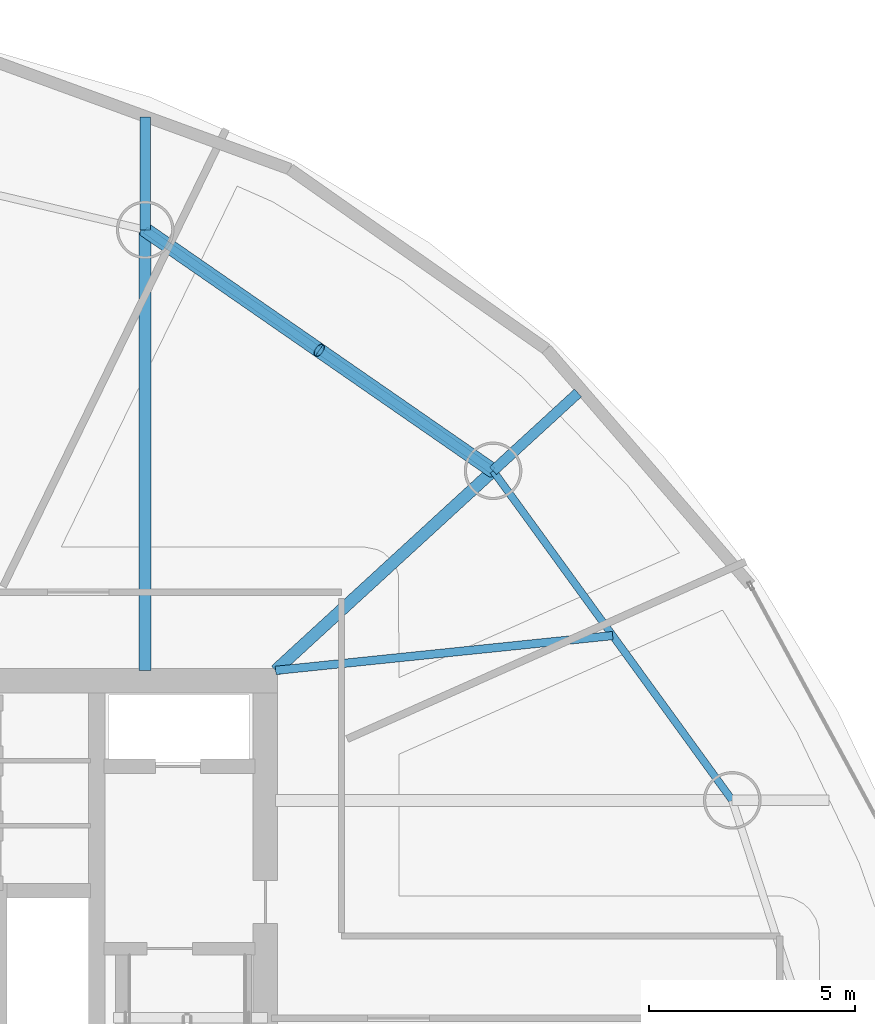
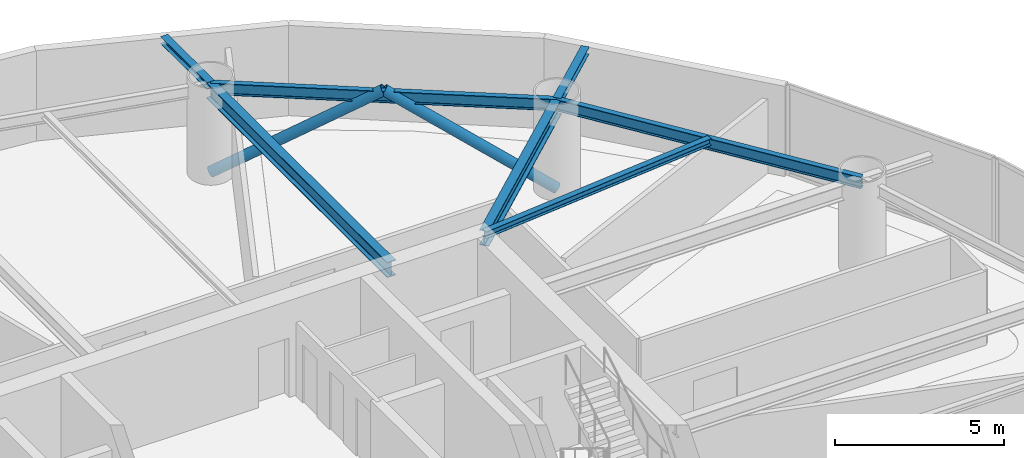
# One storey, part 14 of 22: 7 beams, 2 members.
"""IFC4 building model written with IfcOpenShell, lengths in metres."""

import ifcopenshell
import ifcopenshell.guid

model = None  # the IFC model being written
_history = None  # IfcOwnerHistory: only IFC2X3 demands one
_inside = {}  # id of a spatial element -> (the spatial element, [elements in it])
_under = {}  # id of a project, library or spatial element -> (it, [spatial elements below it])
_declared = {}  # id of a project -> (the project, [libraries it declares])
_typed = {}  # id of a type object -> (the type object, [elements of that type])
_made_of = {}  # id of a material, layer set ... -> (it, [elements and type objects made of it])


def new_model(schema):
    """Start an empty IFC model of exactly this schema.

    Asked for "IFC4X3", IfcOpenShell would pick the latest addendum, in which some entities
    have other attributes; the version numbers below select the first issue.
    IFC2X3 requires an IfcOwnerHistory on every rooted entity: one is made here for all.
    """
    global model, _history
    if schema == "IFC4X3":
        model = ifcopenshell.file(schema_version=(4, 3, 0, 0))
    else:
        model = ifcopenshell.file(schema=schema)
    _inside.clear()
    _under.clear()
    _declared.clear()
    _typed.clear()
    _made_of.clear()
    _history = None
    if model.schema == "IFC2X3":
        org = make("IfcOrganization", Name="unknown")
        user = make(
            "IfcPersonAndOrganization",
            ThePerson=make("IfcPerson", FamilyName="unknown"),
            TheOrganization=org,
        )
        app = make(
            "IfcApplication",
            ApplicationDeveloper=org,
            Version="unknown",
            ApplicationFullName="unknown",
            ApplicationIdentifier="unknown",
        )
        _history = make(
            "IfcOwnerHistory",
            OwningUser=user,
            OwningApplication=app,
            ChangeAction="ADDED",
            CreationDate=0,
        )
    return model


def make(cls, **values):
    """One entity of the class cls with the attributes given. An attribute that is None is left unset."""
    return model.create_entity(
        cls, **{name: value for name, value in values.items() if value is not None}
    )


def rooted(cls, **values):
    """An entity with a GlobalId (a new one), such as an element, a storey or a relation."""
    return make(cls, GlobalId=ifcopenshell.guid.new(), OwnerHistory=_history, **values)


def si_unit(unit_type, name, prefix=None):
    """IfcSIUnit, for example si_unit("LENGTHUNIT", "METRE", prefix="MILLI")."""
    return make("IfcSIUnit", UnitType=unit_type, Prefix=prefix, Name=name)


def assignment(units):
    """IfcUnitAssignment: the units of a project."""
    return None if units is None else make("IfcUnitAssignment", Units=units)


def point(xyz):
    """IfcCartesianPoint."""
    return None if xyz is None else make("IfcCartesianPoint", Coordinates=xyz)


def direction(xyz):
    """IfcDirection."""
    return None if xyz is None else make("IfcDirection", DirectionRatios=xyz)


def frame(location, z_axis=None, x_axis=None):
    """IfcAxis2Placement3D, a coordinate frame: its origin and axes. An axis left out is left unset."""
    return make(
        "IfcAxis2Placement3D",
        Location=point(location),
        Axis=direction(z_axis),
        RefDirection=direction(x_axis),
    )


def frame_2d(location, x_axis=None):
    """IfcAxis2Placement2D, a coordinate frame in the plane: its origin and x axis."""
    return make(
        "IfcAxis2Placement2D", Location=point(location), RefDirection=direction(x_axis)
    )


def origin():
    """The frame at (0, 0, 0) with its axes left unset."""
    return frame((0.0, 0.0, 0.0))


def origin_2d():
    """The frame at (0, 0) in the plane with its x axis left unset."""
    return frame_2d((0.0, 0.0))


def place(relative_to, where):
    """IfcLocalPlacement: puts the frame where relative to a parent placement (None: the world)."""
    return make(
        "IfcLocalPlacement", PlacementRelTo=relative_to, RelativePlacement=where
    )


def context(
    kind, dimensions, precision=None, world=None, true_north=None, identifier=None
):
    """IfcGeometricRepresentationContext, for example the 3D "Model" context."""
    return make(
        "IfcGeometricRepresentationContext",
        ContextIdentifier=identifier,
        ContextType=kind,
        CoordinateSpaceDimension=dimensions,
        Precision=precision,
        WorldCoordinateSystem=world,
        TrueNorth=true_north,
    )


def subcontext(parent, identifier, kind, view, scale=None):
    """IfcGeometricRepresentationSubContext, for example "Body" below "Model"."""
    return make(
        "IfcGeometricRepresentationSubContext",
        ContextIdentifier=identifier,
        ContextType=kind,
        ParentContext=parent,
        TargetScale=scale,
        TargetView=view,
    )


def project(units=None, contexts=None):
    """IfcProject with its units and contexts."""
    return rooted(
        "IfcProject",
        Name="project",
        RepresentationContexts=contexts,
        UnitsInContext=assignment(units),
    )


def spatial(cls, under=None, at=None, **own):
    """A site, building, storey or space (cls), placed at a placement, below another one or the project."""
    s = rooted(cls, ObjectPlacement=at, **own)
    if under is not None:
        _under.setdefault(under.id(), (under, []))[1].append(s)
    return s


def profile(cls, at=None, kind="AREA", **sizes):
    """A parametric profile (cls). Its sizes go by their IFC names, for example OverallWidth=200.0."""
    return make(cls, ProfileType=kind, Position=at, **sizes)


def hollow_circle(**sizes):
    """IfcCircleHollowProfileDef."""
    return profile("IfcCircleHollowProfileDef", **sizes)


def i_section(**sizes):
    """IfcIShapeProfileDef."""
    return profile("IfcIShapeProfileDef", **sizes)


def extrude(swept, where, along, depth):
    """IfcExtrudedAreaSolid: the profile swept, set in the frame where, extruded along a direction by depth."""
    return make(
        "IfcExtrudedAreaSolid",
        SweptArea=swept,
        Position=where,
        ExtrudedDirection=direction(along),
        Depth=depth,
    )


def shape(context_of_items, identifier, shape_type, items):
    """IfcShapeRepresentation: the items that make up one representation, for example the "Body"."""
    return make(
        "IfcShapeRepresentation",
        ContextOfItems=context_of_items,
        RepresentationIdentifier=identifier,
        RepresentationType=shape_type,
        Items=items,
    )


def material(Name=None, Category=None):
    """IfcMaterial."""
    return make("IfcMaterial", Name=Name, Category=Category)


def material_profile(
    of_material, cross_section, Name=None, Category=None, Priority=None
):
    """IfcMaterialProfile: a cross section and its material."""
    return make(
        "IfcMaterialProfile",
        Name=Name,
        Material=of_material,
        Profile=cross_section,
        Priority=Priority,
        Category=Category,
    )


def profile_set(profiles, Name=None, composite=None):
    """IfcMaterialProfileSet."""
    return make(
        "IfcMaterialProfileSet",
        Name=Name,
        MaterialProfiles=profiles,
        CompositeProfile=composite,
    )


def made_of(thing, what):
    """Note that an element or type object is made of a material, layer set ...; save() writes the relation."""
    if what is not None:
        _made_of.setdefault(what.id(), (what, []))[1].append(thing)
    return thing


def type_object(cls, material=None, **own):
    """A type object (cls), such as IfcWallType, which elements share."""
    return made_of(rooted(cls, **own), material)


def element(
    cls,
    number,
    at=None,
    inside=None,
    cuts=None,
    type_object=None,
    material=None,
    context=None,
    identifier="Body",
    shape_type=None,
    held_by="IfcProductDefinitionShape",
    body=None,
    shapes=None,
    **own,
):
    """One element of the class cls, such as IfcWall. Its Tag is "e" and its number.

    at: its placement. inside: the storey or other place that contains it. cuts: it is an
    opening in that element (IfcRelVoidsElement). A single representation is given by context,
    identifier, shape_type and body (its items); several are given by shapes. held_by: the class
    of the entity that holds the representations. save() writes the other relations.
    """
    e = rooted(cls, Tag="e%d" % number, ObjectPlacement=at, **own)
    if body is not None:
        shapes = [shape(context, identifier, shape_type, body)]
    if shapes is not None:
        e.Representation = make(held_by, Representations=shapes)
    if inside is not None:
        _inside.setdefault(inside.id(), (inside, []))[1].append(e)
    if cuts is not None:
        rooted(
            "IfcRelVoidsElement", RelatingBuildingElement=cuts, RelatedOpeningElement=e
        )
    if type_object is not None:
        _typed.setdefault(type_object.id(), (type_object, []))[1].append(e)
    return made_of(e, material)


def aggregate(whole, parts):
    """IfcRelAggregates: a whole, such as a stair, and the parts it consists of."""
    return rooted("IfcRelAggregates", RelatingObject=whole, RelatedObjects=parts)


def save(model, path):
    """Write the relations noted so far, then the file.

    IfcRelAggregates (storeys below a building ...), IfcRelContainedInSpatialStructure (elements
    in a storey), IfcRelDefinesByType, IfcRelAssociatesMaterial and IfcRelDeclares: one each for
    every whole, place, type object, material and project.
    """
    for whole, parts in _under.values():
        aggregate(whole, parts)
    for where, things in _inside.values():
        rooted(
            "IfcRelContainedInSpatialStructure",
            RelatedElements=things,
            RelatingStructure=where,
        )
    for kind, things in _typed.values():
        rooted("IfcRelDefinesByType", RelatedObjects=things, RelatingType=kind)
    for what, things in _made_of.values():
        rooted("IfcRelAssociatesMaterial", RelatedObjects=things, RelatingMaterial=what)
    for by, libraries in _declared.values():
        rooted("IfcRelDeclares", RelatingContext=by, RelatedDefinitions=libraries)
    model.write(path)


model = new_model("IFC4")

# Units and contexts
model_context = context("Model", 3, precision=1e-05, world=origin(), true_north=direction((0.0, 1.0)))
body_context = subcontext(model_context, "Body", "Model", "MODEL_VIEW")
ifc_project = project(units=[si_unit("LENGTHUNIT", "METRE"), si_unit("AREAUNIT", "SQUARE_METRE"), si_unit("VOLUMEUNIT", "CUBIC_METRE"), si_unit("PLANEANGLEUNIT", "RADIAN"), si_unit("MASSUNIT", "GRAM", prefix="KILO")], contexts=[model_context])

# Site, building, storey
site_placement = place(None, origin())
site = spatial("IfcSite", under=ifc_project, at=site_placement, CompositionType="ELEMENT")
building_placement = place(site_placement, origin())
building = spatial("IfcBuilding", under=site, at=building_placement, Name="Bramvorn Convention Spire", CompositionType="ELEMENT")
storey_placement = place(building_placement, frame((0.0, 0.0, 141.300048828125)))
storey = spatial("IfcBuildingStorey", under=building, at=storey_placement, Name="L35", CompositionType="ELEMENT", Elevation=141.300048828125)

# Beams
ifc_material = material(Name="Steel CSA G40.21 Grade 350 (350W)", Category="steel")
ifc_material_profile_1 = material_profile(ifc_material, i_section(OverallWidth=0.201904296875, OverallDepth=0.2470703125, WebThickness=0.00732421875, FlangeThickness=0.010986328125, FilletRadius=0.011962890625, at=origin_2d()))
ifc_profile_set_1 = profile_set([ifc_material_profile_1], Name="Steel CSA G40.21 Grade 350 (350W) - W250X49")
beam_type_1 = type_object("IfcBeamType", Name="BM-W250X49", PredefinedType="JOIST", material=ifc_profile_set_1)
beam_1_placement = place(storey_placement, frame((49.25, 33.449951171875, 3.136474609375), z_axis=(0.994705076194, 0.102770673804, 0.0), x_axis=(-0.102770673804, 0.994705076194, 0.0)))
element("IfcBeam", 1, at=beam_1_placement, inside=storey, type_object=beam_type_1, Name="L35 composite floor joist 03", PredefinedType="JOIST", context=body_context, shape_type="SweptSolid", body=[
    extrude(i_section(OverallWidth=0.201904296875, OverallDepth=0.2470703125, WebThickness=0.00732421875, FlangeThickness=0.010986328125, FilletRadius=0.011962890625, at=origin_2d()), origin(), (0.0, 0.0, 1.0), 8.23388671875),
])
ifc_material_profile_2 = material_profile(ifc_material, i_section(OverallWidth=0.25390625, OverallDepth=0.2529296875, WebThickness=0.008544921875, FlangeThickness=0.01416015625, FilletRadius=0.011962890625, at=origin_2d()))
ifc_profile_set_2 = profile_set([ifc_material_profile_2], Name="Steel CSA G40.21 Grade 350 (350W) - W250X73")
beam_type_2 = type_object("IfcBeamType", Name="BM-W250X73", PredefinedType="BEAM", material=ifc_profile_set_2)
beam_2_placement = place(storey_placement, frame((54.534912109375, 38.299072265625, 3.133544921875), z_axis=(0.736813653175, 0.67609588114, 0.0), x_axis=(-0.67609588114, 0.736813653175, 0.0)))
element("IfcBeam", 2, at=beam_2_placement, inside=storey, type_object=beam_type_2, Name="L35 slab-edge cantilever tip beam MC04", PredefinedType="BEAM", context=body_context, shape_type="SweptSolid", body=[
    extrude(i_section(OverallWidth=0.25390625, OverallDepth=0.2529296875, WebThickness=0.008544921875, FlangeThickness=0.01416015625, FilletRadius=0.011962890625, at=origin_2d()), origin(), (0.0, 0.0, 1.0), 2.798583984375),
])
beam_3_placement = place(storey_placement, frame((46.082763671875, 44.154052734375, 3.133544921875), z_axis=(0.0, 1.0, 0.0), x_axis=(-1.0, 0.0, 0.0)))
element("IfcBeam", 3, at=beam_3_placement, inside=storey, type_object=beam_type_2, Name="L35 slab-edge cantilever tip beam MC05", PredefinedType="BEAM", context=body_context, shape_type="SweptSolid", body=[
    extrude(i_section(OverallWidth=0.25390625, OverallDepth=0.2529296875, WebThickness=0.008544921875, FlangeThickness=0.01416015625, FilletRadius=0.011962890625, at=origin_2d()), origin(), (0.0, 0.0, 1.0), 2.746826171875),
])
ifc_material_profile_3 = material_profile(ifc_material, i_section(OverallWidth=0.180908203125, OverallDepth=0.4169921875, WebThickness=0.010986328125, FlangeThickness=0.018310546875, FilletRadius=0.01611328125, at=origin_2d()))
ifc_profile_set_3 = profile_set([ifc_material_profile_3], Name="Steel CSA G40.21 Grade 350 (350W) - W410X85")
beam_type_3 = type_object("IfcBeamType", Name="BM-W410X85", PredefinedType="JOIST", material=ifc_profile_set_3)
beam_4_placement = place(storey_placement, frame((60.345703125, 30.293212890625, 3.051513671875), z_axis=(-0.587401024629, 0.809296012757, 0.0), x_axis=(-0.809296012757, -0.587401024629, 0.0)))
element("IfcBeam", 4, at=beam_4_placement, inside=storey, type_object=beam_type_3, Name="L35 mega-column ring beam 03", PredefinedType="JOIST", context=body_context, shape_type="SweptSolid", body=[
    extrude(i_section(OverallWidth=0.180908203125, OverallDepth=0.4169921875, WebThickness=0.010986328125, FlangeThickness=0.018310546875, FilletRadius=0.01611328125, at=origin_2d()), origin(), (0.0, 0.0, 1.0), 9.892333984375),
])
beam_5_placement = place(storey_placement, frame((54.534912109375, 38.299072265625, 3.051513671875), z_axis=(-0.822033166673, 0.569439613032, 0.0), x_axis=(-0.569439613032, -0.822033166673, 0.0)))
element("IfcBeam", 5, at=beam_5_placement, inside=storey, type_object=beam_type_3, Name="L35 mega-column ring beam 04", PredefinedType="JOIST", context=body_context, shape_type="SweptSolid", body=[
    extrude(i_section(OverallWidth=0.180908203125, OverallDepth=0.4169921875, WebThickness=0.010986328125, FlangeThickness=0.018310546875, FilletRadius=0.01611328125, at=origin_2d()), origin(), (0.0, 0.0, 1.0), 10.281982421875),
])
ifc_material_profile_4 = material_profile(ifc_material, i_section(OverallWidth=0.2919921875, OverallDepth=0.551025390625, WebThickness=0.01513671875, FlangeThickness=0.0244140625, FilletRadius=0.01904296875, at=origin_2d()))
ifc_profile_set_4 = profile_set([ifc_material_profile_4], Name="Steel CSA G40.21 Grade 350 (350W) - W530X182")
beam_type_4 = type_object("IfcBeamType", Name="BM-W530X182", PredefinedType="BEAM", material=ifc_profile_set_4)
beam_6_placement = place(storey_placement, frame((49.25, 33.449951171875, 2.984375), z_axis=(0.736833323746, 0.676074443399, 0.0), x_axis=(-0.676074443399, 0.736833323746, 0.0)))
element("IfcBeam", 6, at=beam_6_placement, inside=storey, type_object=beam_type_4, Name="L35 radial floor girder MC04", PredefinedType="BEAM", context=body_context, shape_type="SweptSolid", body=[
    extrude(i_section(OverallWidth=0.2919921875, OverallDepth=0.551025390625, WebThickness=0.01513671875, FlangeThickness=0.0244140625, FilletRadius=0.01904296875, at=origin_2d()), origin(), (0.0, 0.0, 1.0), 7.17236328125),
])
beam_7_placement = place(storey_placement, frame((46.082763671875, 33.449951171875, 2.984375), z_axis=(0.0, 1.0, 0.0), x_axis=(-1.0, 0.0, 0.0)))
element("IfcBeam", 7, at=beam_7_placement, inside=storey, type_object=beam_type_4, Name="L35 radial floor girder MC05", PredefinedType="BEAM", context=body_context, shape_type="SweptSolid", body=[
    extrude(i_section(OverallWidth=0.2919921875, OverallDepth=0.551025390625, WebThickness=0.01513671875, FlangeThickness=0.0244140625, FilletRadius=0.01904296875, at=origin_2d()), origin(), (0.0, 0.0, 1.0), 10.7041015625),
])

# Members
ifc_material_profile_5 = material_profile(ifc_material, hollow_circle(Radius=0.177734375, WallThickness=0.015869140625, at=origin_2d()))
ifc_profile_set_5 = profile_set([ifc_material_profile_5], Name="Steel CSA G40.21 Grade 350 (350W) - CHS356X16")
member_type = type_object("IfcMemberType", Name="MBR-CHS356X16", PredefinedType="BRACE", material=ifc_profile_set_5)
for number, where, z_axis, x_axis, name in (
    (8, (54.534912109375, 38.299072265625, 0.0), (-0.694222482493, 0.480902471841, 0.535525869944), (-0.569439613032, -0.822033166673, 0.0), "L35 perimeter Gothic lancet brace 4A"),
    (9, (46.082763671875, 44.154052734375, 0.0), (0.694222482493, -0.480902471841, 0.535525869944), (0.569439613032, 0.822033166673, 0.0), "L35 perimeter Gothic lancet brace 4B"),
):
    element("IfcMember", number, at=place(storey_placement, frame(where, z_axis=z_axis, x_axis=x_axis)), inside=storey, type_object=member_type, Name=name, PredefinedType="BRACE", context=body_context, shape_type="SweptSolid", body=[
        extrude(hollow_circle(Radius=0.177734375, WallThickness=0.015869140625, at=origin_2d()), origin(), (0.0, 0.0, 1.0), 6.08740234375),
    ])

save(model, "model.ifc")
